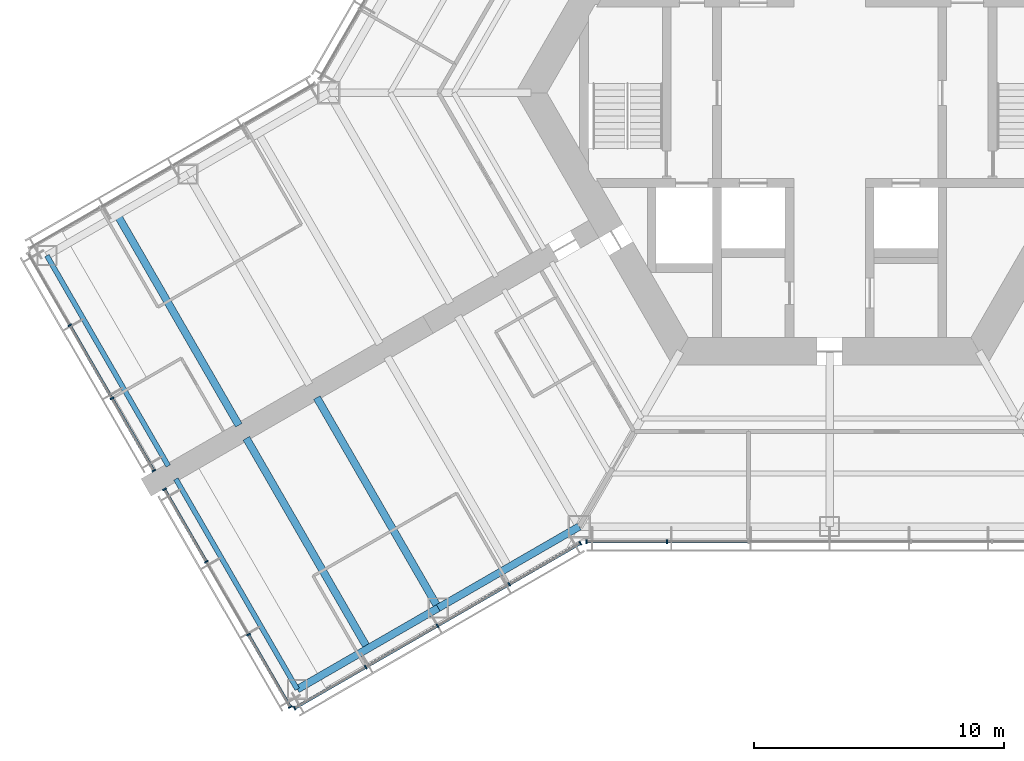
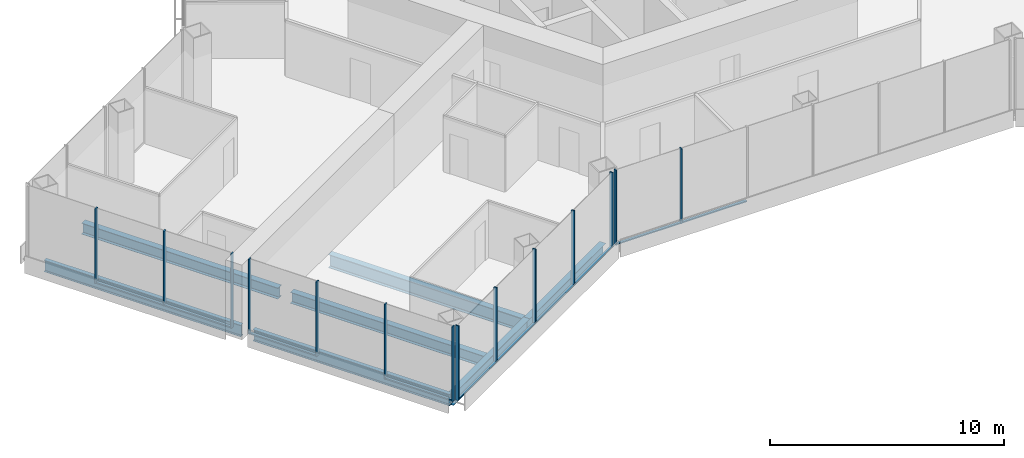
# One storey, part 2 of 18: 24 members, 7 beams, 4 elements without a shape of their own.
"""IFC4 building model written with IfcOpenShell, lengths in metres."""

from ifc_helpers import new_model, si_unit, direction, frame, origin, origin_2d, place, context, subcontext, project, spatial, rectangle, i_section, extrude, material, material_profile, profile_set, type_object, element, aggregate, save


model = new_model("IFC4")

# Units and contexts
model_context = context("Model", 3, precision=1e-05, world=origin(), true_north=direction((0.0, 1.0)))
body_context = subcontext(model_context, "Body", "Model", "MODEL_VIEW")
ifc_project = project(units=[si_unit("LENGTHUNIT", "METRE"), si_unit("AREAUNIT", "SQUARE_METRE"), si_unit("VOLUMEUNIT", "CUBIC_METRE"), si_unit("PLANEANGLEUNIT", "RADIAN"), si_unit("MASSUNIT", "GRAM", prefix="KILO")], contexts=[model_context])

# Site, building, storey
site_placement = place(None, origin())
site = spatial("IfcSite", under=ifc_project, at=site_placement, CompositionType="ELEMENT")
building_placement = place(site_placement, origin())
building = spatial("IfcBuilding", under=site, at=building_placement, Name="Kasaneha Research Tower", CompositionType="ELEMENT")
storey_placement = place(building_placement, frame((0.0, 0.0, 80.699951171875)))
storey = spatial("IfcBuildingStorey", under=building, at=storey_placement, Name="L20", CompositionType="ELEMENT", Elevation=80.699951171875)

# Beams
ifc_material_1 = material(Name="Steel SN490B", Category="steel")
ifc_material_profile_1 = material_profile(ifc_material_1, i_section(OverallWidth=0.300048828125, OverallDepth=0.58203125, WebThickness=0.011962890625, FlangeThickness=0.01708984375, FilletRadius=0.012939453125, at=origin_2d()), Name="H-582x300x12x17")
ifc_profile_set_1 = profile_set([ifc_material_profile_1], Name="Steel SN490B")
beam_type_1 = type_object("IfcBeamType", Name="B2-3 secondary beam H-582x300x12x17", PredefinedType="JOIST", material=ifc_profile_set_1)
for number, where, z_axis, x_axis, name in (
    (1, (-28.44384765625, -4.875, -0.44091796875), (0.500010041276, -0.866019606374, 0.0), (0.866019606374, 0.500010041276, 0.0), "Secondary beam WBBP2 L20"),
    (2, (-18.44384765625, -22.195556640625, -0.44091796875), (-0.499991164321, 0.866030505006, 0.0), (-0.866030505006, -0.499991164321, 0.0), "Secondary beam WBBN2 L20"),
):
    element("IfcBeam", number, at=place(storey_placement, frame(where, z_axis=z_axis, x_axis=x_axis)), inside=storey, type_object=beam_type_1, Name=name, PredefinedType="JOIST", context=body_context, shape_type="SweptSolid", body=[
        extrude(i_section(OverallWidth=0.300048828125, OverallDepth=0.58203125, WebThickness=0.011962890625, FlangeThickness=0.01708984375, FilletRadius=0.012939453125, at=origin_2d()), origin(), (0.0, 0.0, 1.0), 9.699951171875),
    ])

# Curtain wall, members
ifc_material_2 = material(Name="Glass and aluminium", Category="aluminium")
curtain_wall_type = type_object("IfcCurtainWallType", Name="Low-rise office curtain wall", PredefinedType="USERDEFINED", material=ifc_material_2)
curtain_wall_1_placement = place(storey_placement, origin())
curtain_wall_1 = element("IfcCurtainWall", 3, at=curtain_wall_1_placement, inside=storey, type_object=curtain_wall_type, Name="CW-O1 L20 run 01a", ObjectType="UNITISED CURTAIN WALL", PredefinedType="USERDEFINED")
ifc_material_3 = material(Name="Aluminium 6063-T6", Category="aluminium")
ifc_material_profile_2 = material_profile(ifc_material_3, rectangle(XDim=0.06005859375, YDim=0.159912109375, at=origin_2d()), Name="CW-O1 mullion 60x160")
ifc_profile_set_2 = profile_set([ifc_material_profile_2], Name="Aluminium 6063-T6")
member_type_1 = type_object("IfcMemberType", Name="CW-O1 mullion", PredefinedType="MULLION", material=ifc_profile_set_2)
member_1_placement = place(storey_placement, frame((-21.365478515625, -24.5751953125, 0.0), z_axis=(0.0, 0.0, 1.0), x_axis=(0.866025411464, 0.499999986699, 0.0)))
member_1 = element("IfcMember", 4, at=member_1_placement, type_object=member_type_1, Name="CW-O1 mullion 1", PredefinedType="MULLION", context=body_context, shape_type="SweptSolid", body=[
    extrude(rectangle(XDim=0.06005859375, YDim=0.159912109375, at=origin_2d()), origin(), (0.0, 0.0, 1.0), 3.900146484375),
])
member_2_placement = place(storey_placement, frame((-18.52490234375, -22.935302734375, 0.0), z_axis=(0.0, 0.0, 1.0), x_axis=(0.866025411464, 0.499999986699, 0.0)))
member_2 = element("IfcMember", 5, at=member_2_placement, type_object=member_type_1, Name="CW-O1 mullion 2", PredefinedType="MULLION", context=body_context, shape_type="SweptSolid", body=[
    extrude(rectangle(XDim=0.06005859375, YDim=0.159912109375, at=origin_2d()), origin(), (0.0, 0.0, 1.0), 3.900146484375),
])
member_3_placement = place(storey_placement, frame((-15.65869140625, -21.2802734375, 0.0), z_axis=(0.0, 0.0, 1.0), x_axis=(0.866025411464, 0.499999986699, 0.0)))
member_3 = element("IfcMember", 6, at=member_3_placement, type_object=member_type_1, Name="CW-O1 mullion 3", PredefinedType="MULLION", context=body_context, shape_type="SweptSolid", body=[
    extrude(rectangle(XDim=0.06005859375, YDim=0.159912109375, at=origin_2d()), origin(), (0.0, 0.0, 1.0), 3.900146484375),
])
member_4_placement = place(storey_placement, frame((-12.792236328125, -19.62548828125, 0.0), z_axis=(0.0, 0.0, 1.0), x_axis=(0.866025411464, 0.499999986699, 0.0)))
member_4 = element("IfcMember", 7, at=member_4_placement, type_object=member_type_1, Name="CW-O1 mullion 4", PredefinedType="MULLION", context=body_context, shape_type="SweptSolid", body=[
    extrude(rectangle(XDim=0.06005859375, YDim=0.159912109375, at=origin_2d()), origin(), (0.0, 0.0, 1.0), 3.900146484375),
])
member_5_placement = place(storey_placement, frame((-9.951904296875, -17.985595703125, 0.0), z_axis=(0.0, 0.0, 1.0), x_axis=(0.866025411464, 0.499999986699, 0.0)))
member_5 = element("IfcMember", 8, at=member_5_placement, type_object=member_type_1, Name="CW-O1 mullion 5", PredefinedType="MULLION", context=body_context, shape_type="SweptSolid", body=[
    extrude(rectangle(XDim=0.06005859375, YDim=0.159912109375, at=origin_2d()), origin(), (0.0, 0.0, 1.0), 3.900146484375),
])

curtain_wall_2_placement = place(storey_placement, origin())
curtain_wall_2 = element("IfcCurtainWall", 9, at=curtain_wall_2_placement, inside=storey, type_object=curtain_wall_type, Name="CW-O1 L20 run 02a", ObjectType="UNITISED CURTAIN WALL", PredefinedType="USERDEFINED")
member_6_placement = place(storey_placement, frame((-9.709228515625, -17.92041015625, 0.0), z_axis=(0.0, 0.0, 1.0), x_axis=(1.0, 0.0, 0.0)))
member_6 = element("IfcMember", 10, at=member_6_placement, type_object=member_type_1, Name="CW-O1 mullion 1", PredefinedType="MULLION", context=body_context, shape_type="SweptSolid", body=[
    extrude(rectangle(XDim=0.06005859375, YDim=0.159912109375, at=origin_2d()), origin(), (0.0, 0.0, 1.0), 3.900146484375),
])
member_7_placement = place(storey_placement, frame((-6.492919921875, -17.92041015625, 0.0), z_axis=(0.0, 0.0, 1.0), x_axis=(1.0, 0.0, 0.0)))
member_7 = element("IfcMember", 11, at=member_7_placement, type_object=member_type_1, Name="CW-O1 mullion 2", PredefinedType="MULLION", context=body_context, shape_type="SweptSolid", body=[
    extrude(rectangle(XDim=0.06005859375, YDim=0.159912109375, at=origin_2d()), origin(), (0.0, 0.0, 1.0), 3.900146484375),
])

curtain_wall_3_placement = place(storey_placement, origin())
curtain_wall_3 = element("IfcCurtainWall", 12, at=curtain_wall_3_placement, inside=storey, type_object=curtain_wall_type, Name="CW-O1 L20 run 14a", ObjectType="UNITISED CURTAIN WALL", PredefinedType="USERDEFINED")
member_8_placement = place(storey_placement, frame((-30.3447265625, -9.28271484375, 0.0), z_axis=(0.0, 0.0, 1.0), x_axis=(0.500000011442, -0.866025397178, 0.0)))
member_8 = element("IfcMember", 13, at=member_8_placement, type_object=member_type_1, Name="CW-O1 mullion 2", PredefinedType="MULLION", context=body_context, shape_type="SweptSolid", body=[
    extrude(rectangle(XDim=0.06005859375, YDim=0.159912109375, at=origin_2d()), origin(), (0.0, 0.0, 1.0), 3.900146484375),
])
member_9_placement = place(storey_placement, frame((-28.661376953125, -12.1982421875, 0.0), z_axis=(0.0, 0.0, 1.0), x_axis=(0.500000011442, -0.866025397178, 0.0)))
member_9 = element("IfcMember", 14, at=member_9_placement, type_object=member_type_1, Name="CW-O1 mullion 3", PredefinedType="MULLION", context=body_context, shape_type="SweptSolid", body=[
    extrude(rectangle(XDim=0.06005859375, YDim=0.159912109375, at=origin_2d()), origin(), (0.0, 0.0, 1.0), 3.900146484375),
])
member_10_placement = place(storey_placement, frame((-26.992919921875, -15.087890625, 0.0), z_axis=(0.0, 0.0, 1.0), x_axis=(0.500000011442, -0.866025397178, 0.0)))
member_10 = element("IfcMember", 15, at=member_10_placement, type_object=member_type_1, Name="CW-O1 mullion 4", PredefinedType="MULLION", context=body_context, shape_type="SweptSolid", body=[
    extrude(rectangle(XDim=0.06005859375, YDim=0.159912109375, at=origin_2d()), origin(), (0.0, 0.0, 1.0), 3.900146484375),
])

curtain_wall_4_placement = place(storey_placement, origin())
curtain_wall_4 = element("IfcCurtainWall", 16, at=curtain_wall_4_placement, inside=storey, type_object=curtain_wall_type, Name="CW-O1 L20 run 15a", ObjectType="UNITISED CURTAIN WALL", PredefinedType="USERDEFINED")
member_11_placement = place(storey_placement, frame((-26.56298828125, -15.832763671875, 0.0), z_axis=(0.0, 0.0, 1.0), x_axis=(0.500000011442, -0.866025397178, 0.0)))
member_11 = element("IfcMember", 17, at=member_11_placement, type_object=member_type_1, Name="CW-O1 mullion 1", PredefinedType="MULLION", context=body_context, shape_type="SweptSolid", body=[
    extrude(rectangle(XDim=0.06005859375, YDim=0.159912109375, at=origin_2d()), origin(), (0.0, 0.0, 1.0), 3.900146484375),
])
member_12_placement = place(storey_placement, frame((-24.89453125, -18.72216796875, 0.0), z_axis=(0.0, 0.0, 1.0), x_axis=(0.500000011442, -0.866025397178, 0.0)))
member_12 = element("IfcMember", 18, at=member_12_placement, type_object=member_type_1, Name="CW-O1 mullion 2", PredefinedType="MULLION", context=body_context, shape_type="SweptSolid", body=[
    extrude(rectangle(XDim=0.06005859375, YDim=0.159912109375, at=origin_2d()), origin(), (0.0, 0.0, 1.0), 3.900146484375),
])
member_13_placement = place(storey_placement, frame((-23.211181640625, -21.637939453125, 0.0), z_axis=(0.0, 0.0, 1.0), x_axis=(0.500000011442, -0.866025397178, 0.0)))
member_13 = element("IfcMember", 19, at=member_13_placement, type_object=member_type_1, Name="CW-O1 mullion 3", PredefinedType="MULLION", context=body_context, shape_type="SweptSolid", body=[
    extrude(rectangle(XDim=0.06005859375, YDim=0.159912109375, at=origin_2d()), origin(), (0.0, 0.0, 1.0), 3.900146484375),
])
member_14_placement = place(storey_placement, frame((-21.54296875, -24.527587890625, 0.0), z_axis=(0.0, 0.0, 1.0), x_axis=(0.500000011442, -0.866025397178, 0.0)))
member_14 = element("IfcMember", 20, at=member_14_placement, type_object=member_type_1, Name="CW-O1 mullion 4", PredefinedType="MULLION", context=body_context, shape_type="SweptSolid", body=[
    extrude(rectangle(XDim=0.06005859375, YDim=0.159912109375, at=origin_2d()), origin(), (0.0, 0.0, 1.0), 3.900146484375),
])

# Member
ifc_material_4 = material(Name="Aluminium 6063-T6", Category="aluminium")
ifc_material_profile_3 = material_profile(ifc_material_4, rectangle(XDim=0.1201171875, YDim=0.06005859375, at=origin_2d()), Name="CW-O1 transom 120x60")
ifc_profile_set_3 = profile_set([ifc_material_profile_3], Name="Aluminium 6063-T6")
member_type_2 = type_object("IfcMemberType", Name="CW-O1 transom", PredefinedType="USERDEFINED", material=ifc_profile_set_3)
member_15_placement = place(storey_placement, frame((-21.33935546875, -24.56005859375, 0.030029296875), z_axis=(0.866022692473, 0.500004696101, 0.0), x_axis=(-0.500004696101, 0.866022692473, 0.0)))
member_15 = element("IfcMember", 21, at=member_15_placement, type_object=member_type_2, Name="CW-O1 transom 1", ObjectType="TRANSOM", PredefinedType="USERDEFINED", context=body_context, shape_type="SweptSolid", body=[
    extrude(rectangle(XDim=0.1201171875, YDim=0.06005859375, at=origin_2d()), origin(), (0.0, 0.0, 1.0), 3.2197265625),
])

member_16_placement = place(storey_placement, frame((-18.4990234375, -22.920166015625, 0.030029296875), z_axis=(0.86604797581, 0.499960902066, 0.0), x_axis=(-0.499960902066, 0.86604797581, 0.0)))
member_16 = element("IfcMember", 22, at=member_16_placement, type_object=member_type_2, Name="CW-O1 transom 2", ObjectType="TRANSOM", PredefinedType="USERDEFINED", context=body_context, shape_type="SweptSolid", body=[
    extrude(rectangle(XDim=0.1201171875, YDim=0.06005859375, at=origin_2d()), origin(), (0.0, 0.0, 1.0), 3.249755859375),
])

member_17_placement = place(storey_placement, frame((-15.632568359375, -21.265380859375, 0.030029296875), z_axis=(0.866015446554, 0.500017246033, 0.0), x_axis=(-0.500017246033, 0.866015446554, 0.0)))
member_17 = element("IfcMember", 23, at=member_17_placement, type_object=member_type_2, Name="CW-O1 transom 3", ObjectType="TRANSOM", PredefinedType="USERDEFINED", context=body_context, shape_type="SweptSolid", body=[
    extrude(rectangle(XDim=0.1201171875, YDim=0.06005859375, at=origin_2d()), origin(), (0.0, 0.0, 1.0), 3.25),
])

member_18_placement = place(storey_placement, frame((-12.76611328125, -19.6103515625, 0.030029296875), z_axis=(0.866022692473, 0.500004696101, 0.0), x_axis=(-0.500004696101, 0.866022692473, 0.0)))
member_18 = element("IfcMember", 24, at=member_18_placement, type_object=member_type_2, Name="CW-O1 transom 4", ObjectType="TRANSOM", PredefinedType="USERDEFINED", context=body_context, shape_type="SweptSolid", body=[
    extrude(rectangle(XDim=0.1201171875, YDim=0.06005859375, at=origin_2d()), origin(), (0.0, 0.0, 1.0), 3.2197265625),
])

aggregate(curtain_wall_1, [member_1, member_2, member_3, member_4, member_5, member_15, member_16, member_17, member_18])

member_19_placement = place(storey_placement, frame((-9.67919921875, -17.92041015625, 0.030029296875), z_axis=(1.0, 0.0, 0.0), x_axis=(0.0, 1.0, 0.0)))
member_19 = element("IfcMember", 25, at=member_19_placement, type_object=member_type_2, Name="CW-O1 transom 1", ObjectType="TRANSOM", PredefinedType="USERDEFINED", context=body_context, shape_type="SweptSolid", body=[
    extrude(rectangle(XDim=0.1201171875, YDim=0.06005859375, at=origin_2d()), origin(), (0.0, 0.0, 1.0), 3.156494140625),
])

member_20_placement = place(storey_placement, frame((-6.462890625, -17.92041015625, 0.030029296875), z_axis=(1.0, 0.0, 0.0), x_axis=(0.0, 1.0, 0.0)))
member_20 = element("IfcMember", 26, at=member_20_placement, type_object=member_type_2, Name="CW-O1 transom 2", ObjectType="TRANSOM", PredefinedType="USERDEFINED", context=body_context, shape_type="SweptSolid", body=[
    extrude(rectangle(XDim=0.1201171875, YDim=0.06005859375, at=origin_2d()), origin(), (0.0, 0.0, 1.0), 3.1865234375),
])

aggregate(curtain_wall_2, [member_6, member_7, member_19, member_20])

member_21_placement = place(storey_placement, frame((-30.32958984375, -9.30859375, 0.030029296875), z_axis=(0.499982354831, -0.866035590988, 0.0), x_axis=(0.866035590988, 0.499982354831, 0.0)))
member_21 = element("IfcMember", 27, at=member_21_placement, type_object=member_type_2, Name="CW-O1 transom 2", ObjectType="TRANSOM", PredefinedType="USERDEFINED", context=body_context, shape_type="SweptSolid", body=[
    extrude(rectangle(XDim=0.1201171875, YDim=0.06005859375, at=origin_2d()), origin(), (0.0, 0.0, 1.0), 3.306640625),
])

member_22_placement = place(storey_placement, frame((-28.646240234375, -12.22412109375, 0.030029296875), z_axis=(0.499969700927, -0.866042896256, 0.0), x_axis=(0.866042896256, 0.499969700927, 0.0)))
member_22 = element("IfcMember", 28, at=member_22_placement, type_object=member_type_2, Name="CW-O1 transom 3", ObjectType="TRANSOM", PredefinedType="USERDEFINED", context=body_context, shape_type="SweptSolid", body=[
    extrude(rectangle(XDim=0.1201171875, YDim=0.06005859375, at=origin_2d()), origin(), (0.0, 0.0, 1.0), 3.276611328125),
])

aggregate(curtain_wall_3, [member_8, member_9, member_10, member_21, member_22])

member_23_placement = place(storey_placement, frame((-26.5478515625, -15.858642578125, 0.030029296875), z_axis=(0.499969700927, -0.866042896256, 0.0), x_axis=(0.866042896256, 0.499969700927, 0.0)))
member_23 = element("IfcMember", 29, at=member_23_placement, type_object=member_type_2, Name="CW-O1 transom 1", ObjectType="TRANSOM", PredefinedType="USERDEFINED", context=body_context, shape_type="SweptSolid", body=[
    extrude(rectangle(XDim=0.1201171875, YDim=0.06005859375, at=origin_2d()), origin(), (0.0, 0.0, 1.0), 3.276611328125),
])

member_24_placement = place(storey_placement, frame((-23.1962890625, -21.663818359375, 0.030029296875), z_axis=(0.500025583411, -0.866010632691, 0.0), x_axis=(0.866010632691, 0.500025583411, 0.0)))
member_24 = element("IfcMember", 30, at=member_24_placement, type_object=member_type_2, Name="CW-O1 transom 3", ObjectType="TRANSOM", PredefinedType="USERDEFINED", context=body_context, shape_type="SweptSolid", body=[
    extrude(rectangle(XDim=0.1201171875, YDim=0.06005859375, at=origin_2d()), origin(), (0.0, 0.0, 1.0), 3.276611328125),
])

aggregate(curtain_wall_4, [member_11, member_12, member_13, member_14, member_23, member_24])

# Beams
ifc_material_5 = material(Name="Steel SN490B", Category="steel")
ifc_material_profile_4 = material_profile(ifc_material_5, i_section(OverallWidth=0.300048828125, OverallDepth=0.699951171875, WebThickness=0.012939453125, FlangeThickness=0.02392578125, FilletRadius=0.01806640625, at=origin_2d()), Name="H-700x300x13x24")
ifc_profile_set_4 = profile_set([ifc_material_profile_4], Name="Steel SN490B")
beam_type_2 = type_object("IfcBeamType", Name="G4-3 wing girder H-700x300x13x24", PredefinedType="BEAM", material=ifc_profile_set_4)
beam_placement = place(storey_placement, frame((-15.629150390625, -20.570556640625, -0.5), z_axis=(-0.500010041276, 0.866019606374, 0.0), x_axis=(-0.866019606374, -0.500010041276, 0.0)))
element("IfcBeam", 31, at=beam_placement, inside=storey, type_object=beam_type_2, Name="Wing girder WGBN L20", PredefinedType="BEAM", context=body_context, shape_type="SweptSolid", body=[
    extrude(i_section(OverallWidth=0.300048828125, OverallDepth=0.699951171875, WebThickness=0.012939453125, FlangeThickness=0.02392578125, FilletRadius=0.01806640625, at=origin_2d()), origin(), (0.0, 0.0, 1.0), 9.699951171875),
])
ifc_material_6 = material(Name="Steel SN490B", Category="steel")
ifc_material_profile_5 = material_profile(ifc_material_6, i_section(OverallWidth=0.300048828125, OverallDepth=0.58203125, WebThickness=0.011962890625, FlangeThickness=0.01708984375, FilletRadius=0.012939453125, at=origin_2d()), Name="H-582x300x12x17")
ifc_profile_set_5 = profile_set([ifc_material_profile_5], Name="Steel SN490B")
beam_type_3 = type_object("IfcBeamType", Name="SB2-3 spandrel beam H-582x300x12x17", PredefinedType="SPANDREL", material=ifc_profile_set_5)
for number, where, z_axis, x_axis, name in (
    (32, (-10.0, -17.320556640625, -0.44091796875), (-0.866024837091, -0.50000098154, 0.0), (0.50000098154, -0.866024837091, 0.0), "Spandrel beam WSBN1 L20"),
    (33, (-15.629150390625, -20.570556640625, -0.44091796875), (-0.866024837091, -0.50000098154, 0.0), (0.50000098154, -0.866024837091, 0.0), "Spandrel beam WSBN2 L20"),
):
    element("IfcBeam", number, at=place(storey_placement, frame(where, z_axis=z_axis, x_axis=x_axis)), inside=storey, type_object=beam_type_3, Name=name, PredefinedType="SPANDREL", context=body_context, shape_type="SweptSolid", body=[
        extrude(i_section(OverallWidth=0.300048828125, OverallDepth=0.58203125, WebThickness=0.011962890625, FlangeThickness=0.01708984375, FilletRadius=0.012939453125, at=origin_2d()), origin(), (0.0, 0.0, 1.0), 6.5),
    ])
ifc_material_7 = material(Name="Steel SN490B", Category="steel")
ifc_material_profile_6 = material_profile(ifc_material_7, i_section(OverallWidth=0.199951171875, OverallDepth=0.60009765625, WebThickness=0.010986328125, FlangeThickness=0.01708984375, FilletRadius=0.012939453125, at=origin_2d()), Name="H-600x200x11x17")
ifc_profile_set_6 = profile_set([ifc_material_profile_6], Name="Steel SN490B")
beam_type_4 = type_object("IfcBeamType", Name="SB3-3 spandrel beam H-600x200x11x17", PredefinedType="SPANDREL", material=ifc_profile_set_6)
for number, where, z_axis, x_axis, name in (
    (34, (-31.25830078125, -6.5, -0.449951171875), (0.499991164321, -0.866030505006, 0.0), (0.866030505006, 0.499991164321, 0.0), "Spandrel beam WTBP L20"),
    (35, (-21.25830078125, -23.820556640625, -0.449951171875), (-0.500010041276, 0.866019606374, 0.0), (-0.866019606374, -0.500010041276, 0.0), "Spandrel beam WTBN L20"),
):
    element("IfcBeam", number, at=place(storey_placement, frame(where, z_axis=z_axis, x_axis=x_axis)), inside=storey, type_object=beam_type_4, Name=name, PredefinedType="SPANDREL", context=body_context, shape_type="SweptSolid", body=[
        extrude(i_section(OverallWidth=0.199951171875, OverallDepth=0.60009765625, WebThickness=0.010986328125, FlangeThickness=0.01708984375, FilletRadius=0.012939453125, at=origin_2d()), origin(), (0.0, 0.0, 1.0), 9.699951171875),
    ])

save(model, "model.ifc")
